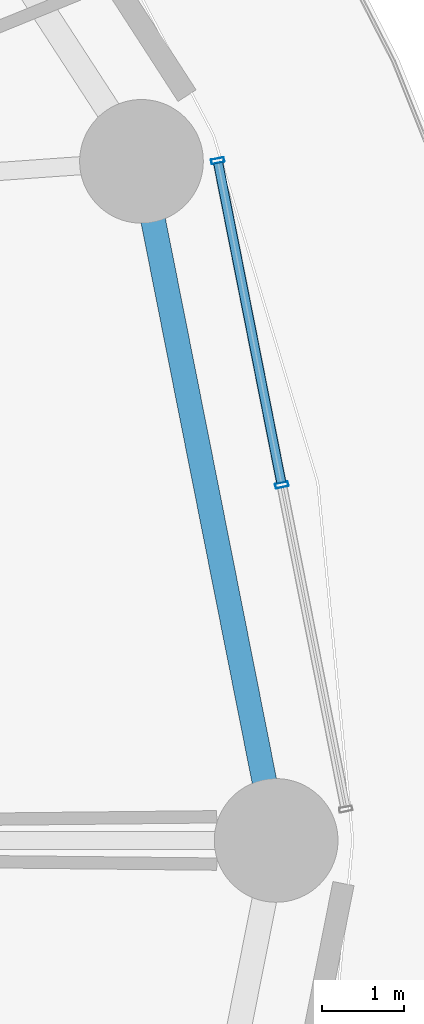
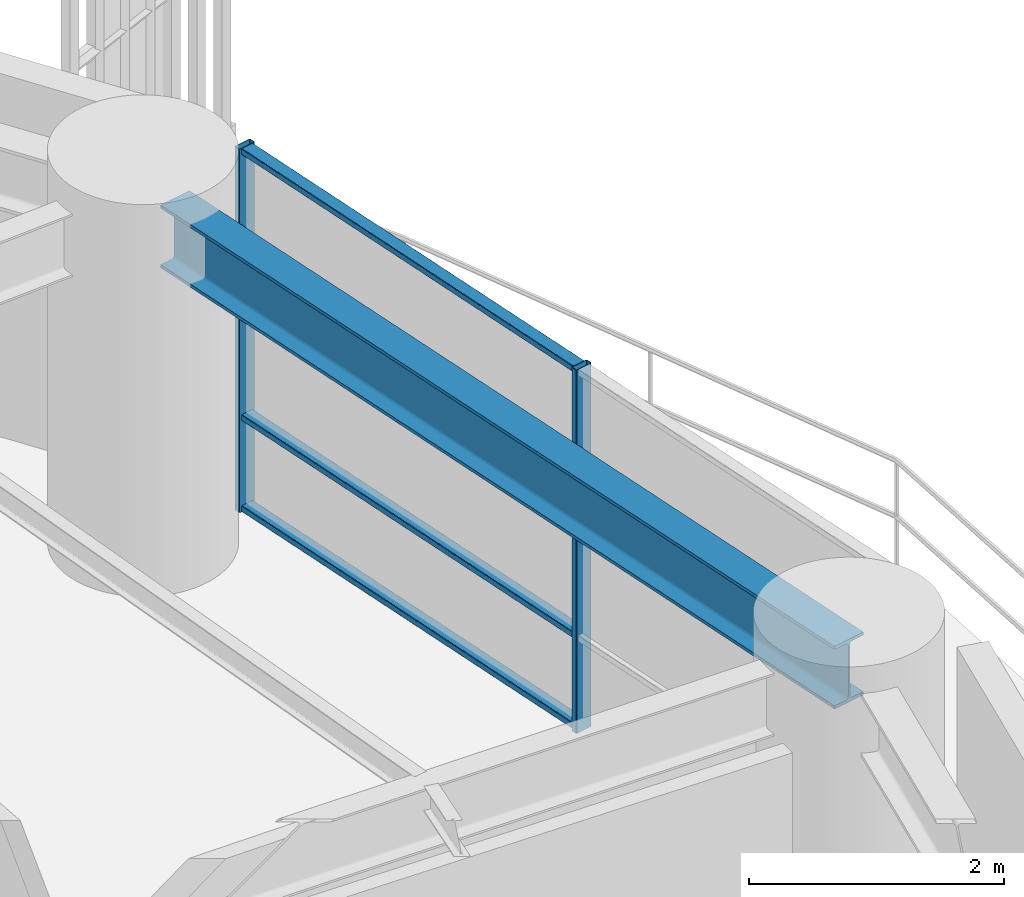
# One storey, part 14 of 35: 5 members, 1 beam, 1 element without a shape of its own.
"""IFC4 building model written with IfcOpenShell, lengths in metres."""

from ifc_helpers import new_model, si_unit, direction, frame, origin, origin_2d, place, context, subcontext, project, spatial, hollow_rectangle, i_section, extrude, material, layer, layer_set, material_profile, profile_set, type_object, element, aggregate, save


model = new_model("IFC4")

# Units and contexts
model_context = context("Model", 3, precision=1e-05, world=origin(), true_north=direction((0.0, 1.0)))
body_context = subcontext(model_context, "Body", "Model", "MODEL_VIEW")
ifc_project = project(units=[si_unit("LENGTHUNIT", "METRE"), si_unit("AREAUNIT", "SQUARE_METRE"), si_unit("VOLUMEUNIT", "CUBIC_METRE"), si_unit("PLANEANGLEUNIT", "RADIAN"), si_unit("MASSUNIT", "GRAM", prefix="KILO")], contexts=[model_context])

# Site, building, storey
site_placement = place(None, origin())
site = spatial("IfcSite", under=ifc_project, at=site_placement, CompositionType="ELEMENT")
building_placement = place(site_placement, origin())
building = spatial("IfcBuilding", under=site, at=building_placement, Name="Kelanora Arch Commons", CompositionType="ELEMENT")
storey_placement = place(building_placement, frame((0.0, 0.0, 22.5)))
storey = spatial("IfcBuildingStorey", under=building, at=storey_placement, Name="L05", CompositionType="ELEMENT", Elevation=22.5)

# Beam
ifc_material_1 = material(Name="Steel S355", Category="steel")
ifc_material_profile_1 = material_profile(ifc_material_1, i_section(OverallWidth=0.300048828125, OverallDepth=0.60009765625, WebThickness=0.015380859375, FlangeThickness=0.030029296875, FilletRadius=0.027099609375, at=origin_2d()), Name="HEB600")
ifc_profile_set_1 = profile_set([ifc_material_profile_1], Name="Steel S355")
beam_type = type_object("IfcBeamType", Name="BM-SPN-Z1", PredefinedType="SPANDREL", material=ifc_profile_set_1)
beam_placement = place(storey_placement, frame((101.080078125, 58.0, 3.18994140625), z_axis=(-0.194522790633, 0.980897998736, 0.0), x_axis=(-0.980897998736, -0.194522790633, 0.0)))
element("IfcBeam", 1, at=beam_placement, inside=storey, type_object=beam_type, Name="Perimeter Spandrel Beam BS-00 L05", PredefinedType="SPANDREL", context=body_context, shape_type="SweptSolid", body=[
    extrude(i_section(OverallWidth=0.300048828125, OverallDepth=0.60009765625, WebThickness=0.015380859375, FlangeThickness=0.030029296875, FilletRadius=0.027099609375, at=origin_2d()), origin(), (0.0, 0.0, 1.0), 8.01611328125),
])

# Curtain wall, members
ifc_material_2 = material(Name="Terracotta ceramic-fritted low-E glass and aluminium", Category="masonry")
ifc_layer = layer(ifc_material_2, 0.159912109375)
ifc_layer_set = layer_set([ifc_layer], Name="Terracotta ceramic-fritted low-E glass and aluminium")
curtain_wall_type = type_object("IfcCurtainWallType", Name="CW-SYS-01", PredefinedType="NOTDEFINED", material=ifc_layer_set)
curtain_wall_placement = place(storey_placement, origin())
curtain_wall = element("IfcCurtainWall", 2, at=curtain_wall_placement, inside=storey, type_object=curtain_wall_type, Name="Unitised Curtain Wall L05-B00", PredefinedType="NOTDEFINED")
ifc_material_3 = material(Name="Powder-coated aluminium terracotta", Category="masonry")
ifc_material_profile_2 = material_profile(ifc_material_3, hollow_rectangle(XDim=0.159912109375, YDim=0.06005859375, WallThickness=0.0048828125, InnerFilletRadius=0.0048828125, OuterFilletRadius=0.010009765625, at=origin_2d()), Name="CWM160x60")
ifc_profile_set_2 = profile_set([ifc_material_profile_2], Name="Powder-coated aluminium terracotta")
member_type_1 = type_object("IfcMemberType", Name="CWM-STD", PredefinedType="MULLION", material=ifc_profile_set_2)
member_1_placement = place(storey_placement, frame((101.1484375, 62.3115234375, 0.0), z_axis=(0.0, 0.0, 1.0), x_axis=(-0.981052110579, -0.193744048498, 0.0)))
member_1 = element("IfcMember", 3, at=member_1_placement, type_object=member_type_1, Name="CW-01 mullion 2", PredefinedType="MULLION", context=body_context, shape_type="SweptSolid", body=[
    extrude(hollow_rectangle(XDim=0.159912109375, YDim=0.06005859375, WallThickness=0.0048828125, InnerFilletRadius=0.0048828125, OuterFilletRadius=0.010009765625, at=origin_2d()), origin(), (0.0, 0.0, 1.0), 3.47509765625),
])
member_2_placement = place(storey_placement, frame((100.371826171875, 66.243896484375, 0.0), z_axis=(0.0, 0.0, 1.0), x_axis=(-0.981052110579, -0.193744048498, 0.0)))
member_2 = element("IfcMember", 4, at=member_2_placement, type_object=member_type_1, Name="CW-01 mullion 3", PredefinedType="MULLION", context=body_context, shape_type="SweptSolid", body=[
    extrude(hollow_rectangle(XDim=0.159912109375, YDim=0.06005859375, WallThickness=0.0048828125, InnerFilletRadius=0.0048828125, OuterFilletRadius=0.010009765625, at=origin_2d()), origin(), (0.0, 0.0, 1.0), 3.47509765625),
])
ifc_material_profile_3 = material_profile(ifc_material_3, hollow_rectangle(XDim=0.1201171875, YDim=0.06005859375, WallThickness=0.0048828125, InnerFilletRadius=0.0048828125, OuterFilletRadius=0.010009765625, at=origin_2d()), Name="CWT120x60")
ifc_profile_set_3 = profile_set([ifc_material_profile_3], Name="Powder-coated aluminium terracotta")
member_type_2 = type_object("IfcMemberType", Name="CWT-STD", PredefinedType="USERDEFINED", material=ifc_profile_set_3)
member_3_placement = place(storey_placement, frame((101.142578125, 62.3408203125, 0.030029296875), z_axis=(-0.193725436624, 0.98105578598, 0.0), x_axis=(-0.98105578598, -0.193725436624, 0.0)))
member_3 = element("IfcMember", 5, at=member_3_placement, type_object=member_type_2, Name="CW-01 transom 2.1", ObjectType="TRANSOM", PredefinedType="USERDEFINED", context=body_context, shape_type="SweptSolid", body=[
    extrude(hollow_rectangle(XDim=0.1201171875, YDim=0.06005859375, WallThickness=0.0048828125, InnerFilletRadius=0.0048828125, OuterFilletRadius=0.010009765625, at=origin_2d()), origin(), (0.0, 0.0, 1.0), 3.9482421875),
])
member_4_placement = place(storey_placement, frame((101.142578125, 62.3408203125, 0.89990234375), z_axis=(-0.193725436624, 0.98105578598, 0.0), x_axis=(-0.98105578598, -0.193725436624, 0.0)))
member_4 = element("IfcMember", 6, at=member_4_placement, type_object=member_type_2, Name="CW-01 transom 2.2", ObjectType="TRANSOM", PredefinedType="USERDEFINED", context=body_context, shape_type="SweptSolid", body=[
    extrude(hollow_rectangle(XDim=0.1201171875, YDim=0.06005859375, WallThickness=0.0048828125, InnerFilletRadius=0.0048828125, OuterFilletRadius=0.010009765625, at=origin_2d()), origin(), (0.0, 0.0, 1.0), 3.9482421875),
])
member_5_placement = place(storey_placement, frame((101.142578125, 62.3408203125, 3.445068359375), z_axis=(-0.193725436624, 0.98105578598, 0.0), x_axis=(-0.98105578598, -0.193725436624, 0.0)))
member_5 = element("IfcMember", 7, at=member_5_placement, type_object=member_type_2, Name="CW-01 transom 2.3", ObjectType="TRANSOM", PredefinedType="USERDEFINED", context=body_context, shape_type="SweptSolid", body=[
    extrude(hollow_rectangle(XDim=0.1201171875, YDim=0.06005859375, WallThickness=0.0048828125, InnerFilletRadius=0.0048828125, OuterFilletRadius=0.010009765625, at=origin_2d()), origin(), (0.0, 0.0, 1.0), 3.9482421875),
])
aggregate(curtain_wall, [member_1, member_2, member_3, member_4, member_5])

save(model, "model.ifc")
